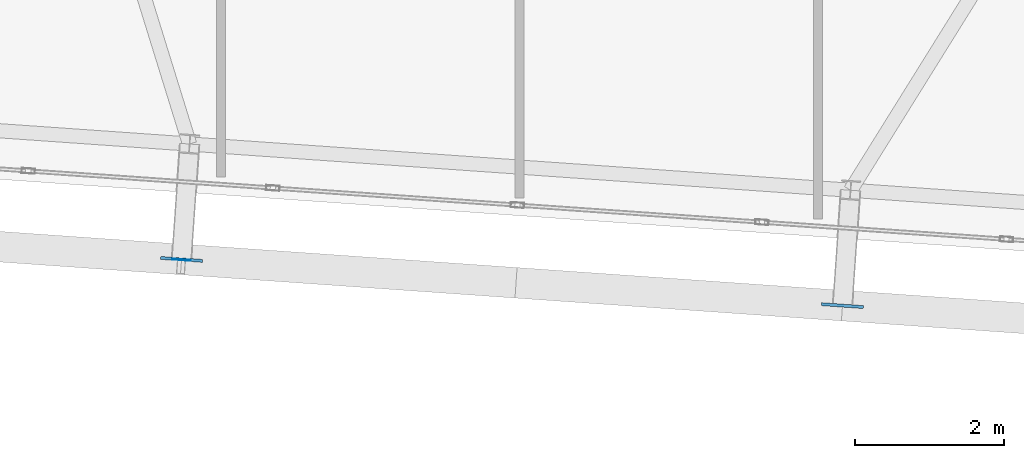
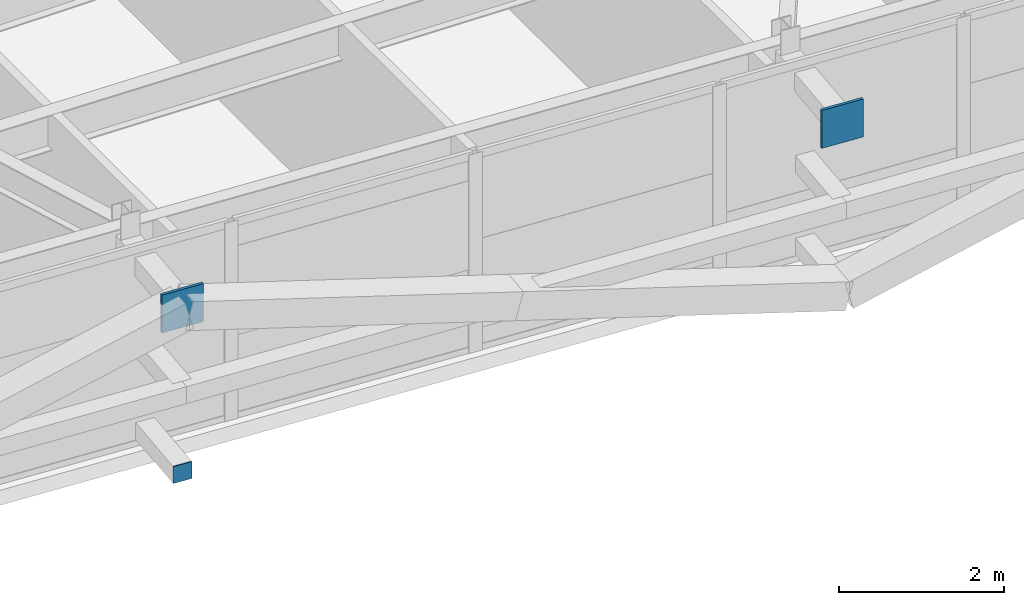
# One storey, part 34 of 47: 3 plates.
"""IFC4 building model written with IfcOpenShell, lengths in metres."""

from ifc_helpers import new_model, si_unit, direction, frame, origin, origin_2d, place, context, subcontext, project, spatial, rectangle, extrude, source, transform, mapped, material, layer, layer_set, type_object, element, save


model = new_model("IFC4")

# Units and contexts
model_context = context("Model", 3, precision=1e-05, world=origin(), true_north=direction((0.0, 1.0)))
body_context = subcontext(model_context, "Body", "Model", "MODEL_VIEW")
ifc_project = project(units=[si_unit("LENGTHUNIT", "METRE"), si_unit("AREAUNIT", "SQUARE_METRE"), si_unit("VOLUMEUNIT", "CUBIC_METRE"), si_unit("PLANEANGLEUNIT", "RADIAN"), si_unit("MASSUNIT", "GRAM", prefix="KILO")], contexts=[model_context])

# Site, building, storey
site_placement = place(None, origin())
site = spatial("IfcSite", under=ifc_project, at=site_placement, CompositionType="ELEMENT")
building_placement = place(site_placement, origin())
building = spatial("IfcBuilding", under=site, at=building_placement, Name="Taldren Reach Tower", CompositionType="ELEMENT")
storey_placement = place(building_placement, frame((0.0, 0.0, 142.449951171875)))
storey = spatial("IfcBuildingStorey", under=building, at=storey_placement, Name="L43", CompositionType="ELEMENT", Elevation=142.449951171875)

# Plates
ifc_material_1 = material(Name="Steel Gr 450 (C450L0)", Category="steel")
ifc_layer_1 = layer(ifc_material_1, 0.0400390625)
ifc_layer_set_1 = layer_set([ifc_layer_1], Name="Steel Gr 450 (C450L0)")
plate_type_1 = type_object("IfcPlateType", Name="PL-GUSSET-40", PredefinedType="SHEET", material=ifc_layer_set_1)
shared_shape_1 = source(origin(), body_context, "Body", "SweptSolid", [
    extrude(rectangle(XDim=0.56005859375, YDim=0.0400390625, at=origin_2d()), origin(), (0.0, 0.0, 1.0), 0.56005859375),
])
for number, where, z_axis, x_axis, name in (
    (1, (29.47216796875, 2.55322265625, 2.3701171875), (0.0, 0.0, 1.0), (0.99756405026, -0.069756473744, 0.0), "Exoskeleton star-node gusset plate B3-S3 L43"),
    (2, (38.33056640625, 1.933837890625, 2.3701171875), (0.0, 0.0, 1.0), (0.99756405026, -0.069756473744, 0.0), "Exoskeleton star-node gusset plate B3-S4 L43"),
):
    element("IfcPlate", number, at=place(storey_placement, frame(where, z_axis=z_axis, x_axis=x_axis)), inside=storey, type_object=plate_type_1, Name=name, PredefinedType="SHEET", context=body_context, shape_type="MappedRepresentation", body=[
        mapped(shared_shape_1, transform((0.0, 0.0, 0.0), scale=1.0)),
    ])
ifc_material_2 = material(Name="Steel Gr 350 (C350L0)", Category="steel")
ifc_layer_2 = layer(ifc_material_2, 0.011962890625)
ifc_layer_set_2 = layer_set([ifc_layer_2], Name="Steel Gr 350 (C350L0)")
plate_type_2 = type_object("IfcPlateType", Name="PL-CAP-250", PredefinedType="SHEET", material=ifc_layer_set_2)
shared_shape_2 = source(origin(), body_context, "Body", "SweptSolid", [
    extrude(rectangle(XDim=0.25, YDim=0.011962890625, at=origin_2d()), origin(), (0.0, 0.0, 1.0), 0.25),
])
plate_placement = place(storey_placement, frame((29.4716796875, 2.54736328125, 0.094970703125), z_axis=(0.0, 0.0, 1.0), x_axis=(0.99756405026, -0.069756473744, 0.0)))
element("IfcPlate", 3, at=plate_placement, inside=storey, type_object=plate_type_2, Name="Tie strut end cap plate B3-S3 L43", PredefinedType="SHEET", context=body_context, shape_type="MappedRepresentation", body=[
    mapped(shared_shape_2, transform((0.0, 0.0, 0.0), scale=1.0)),
])

save(model, "model.ifc")
